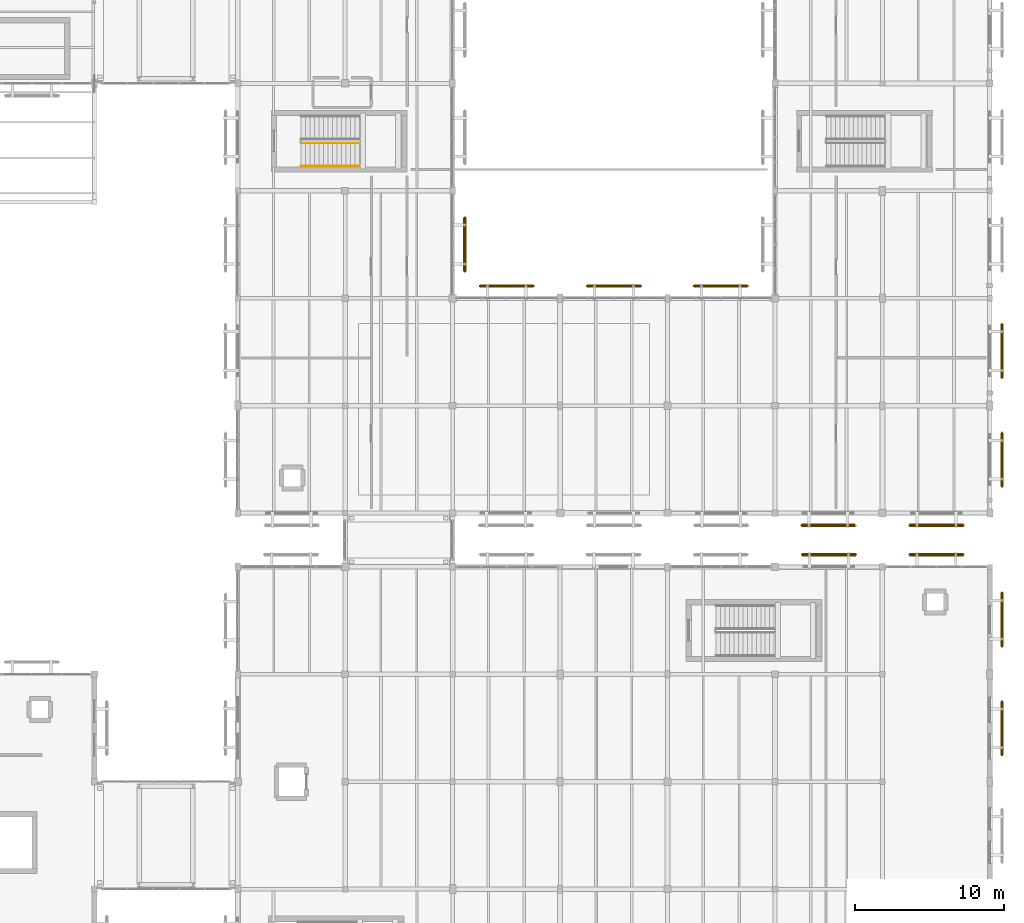
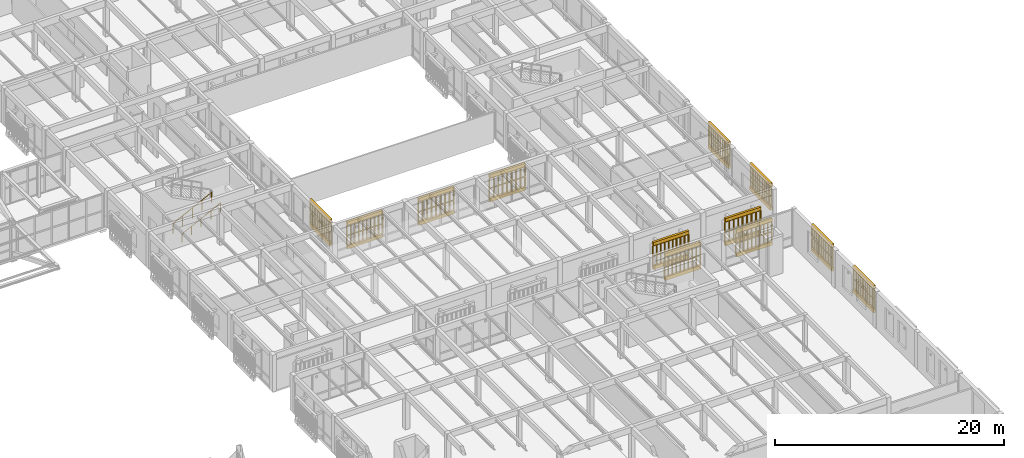
# One storey, part 213 of 217: 26 railings, 24 coverings.
"""IFC4 building model written with IfcOpenShell, lengths in metres."""

import ifcopenshell
import ifcopenshell.guid

model = None  # the IFC model being written
_history = None  # IfcOwnerHistory: only IFC2X3 demands one
_inside = {}  # id of a spatial element -> (the spatial element, [elements in it])
_under = {}  # id of a project, library or spatial element -> (it, [spatial elements below it])
_declared = {}  # id of a project -> (the project, [libraries it declares])
_typed = {}  # id of a type object -> (the type object, [elements of that type])
_made_of = {}  # id of a material, layer set ... -> (it, [elements and type objects made of it])


def new_model(schema):
    """Start an empty IFC model of exactly this schema.

    Asked for "IFC4X3", IfcOpenShell would pick the latest addendum, in which some entities
    have other attributes; the version numbers below select the first issue.
    IFC2X3 requires an IfcOwnerHistory on every rooted entity: one is made here for all.
    """
    global model, _history
    if schema == "IFC4X3":
        model = ifcopenshell.file(schema_version=(4, 3, 0, 0))
    else:
        model = ifcopenshell.file(schema=schema)
    _inside.clear()
    _under.clear()
    _declared.clear()
    _typed.clear()
    _made_of.clear()
    _history = None
    if model.schema == "IFC2X3":
        org = make("IfcOrganization", Name="unknown")
        user = make(
            "IfcPersonAndOrganization",
            ThePerson=make("IfcPerson", FamilyName="unknown"),
            TheOrganization=org,
        )
        app = make(
            "IfcApplication",
            ApplicationDeveloper=org,
            Version="unknown",
            ApplicationFullName="unknown",
            ApplicationIdentifier="unknown",
        )
        _history = make(
            "IfcOwnerHistory",
            OwningUser=user,
            OwningApplication=app,
            ChangeAction="ADDED",
            CreationDate=0,
        )
    return model


def make(cls, **values):
    """One entity of the class cls with the attributes given. An attribute that is None is left unset."""
    return model.create_entity(
        cls, **{name: value for name, value in values.items() if value is not None}
    )


def rooted(cls, **values):
    """An entity with a GlobalId (a new one), such as an element, a storey or a relation."""
    return make(cls, GlobalId=ifcopenshell.guid.new(), OwnerHistory=_history, **values)


def si_unit(unit_type, name, prefix=None):
    """IfcSIUnit, for example si_unit("LENGTHUNIT", "METRE", prefix="MILLI")."""
    return make("IfcSIUnit", UnitType=unit_type, Prefix=prefix, Name=name)


def assignment(units):
    """IfcUnitAssignment: the units of a project."""
    return None if units is None else make("IfcUnitAssignment", Units=units)


def point(xyz):
    """IfcCartesianPoint."""
    return None if xyz is None else make("IfcCartesianPoint", Coordinates=xyz)


def direction(xyz):
    """IfcDirection."""
    return None if xyz is None else make("IfcDirection", DirectionRatios=xyz)


def frame(location, z_axis=None, x_axis=None):
    """IfcAxis2Placement3D, a coordinate frame: its origin and axes. An axis left out is left unset."""
    return make(
        "IfcAxis2Placement3D",
        Location=point(location),
        Axis=direction(z_axis),
        RefDirection=direction(x_axis),
    )


def frame_2d(location, x_axis=None):
    """IfcAxis2Placement2D, a coordinate frame in the plane: its origin and x axis."""
    return make(
        "IfcAxis2Placement2D", Location=point(location), RefDirection=direction(x_axis)
    )


def origin():
    """The frame at (0, 0, 0) with its axes left unset."""
    return frame((0.0, 0.0, 0.0))


def origin_2d():
    """The frame at (0, 0) in the plane with its x axis left unset."""
    return frame_2d((0.0, 0.0))


def place(relative_to, where):
    """IfcLocalPlacement: puts the frame where relative to a parent placement (None: the world)."""
    return make(
        "IfcLocalPlacement", PlacementRelTo=relative_to, RelativePlacement=where
    )


def context(
    kind, dimensions, precision=None, world=None, true_north=None, identifier=None
):
    """IfcGeometricRepresentationContext, for example the 3D "Model" context."""
    return make(
        "IfcGeometricRepresentationContext",
        ContextIdentifier=identifier,
        ContextType=kind,
        CoordinateSpaceDimension=dimensions,
        Precision=precision,
        WorldCoordinateSystem=world,
        TrueNorth=true_north,
    )


def subcontext(parent, identifier, kind, view, scale=None):
    """IfcGeometricRepresentationSubContext, for example "Body" below "Model"."""
    return make(
        "IfcGeometricRepresentationSubContext",
        ContextIdentifier=identifier,
        ContextType=kind,
        ParentContext=parent,
        TargetScale=scale,
        TargetView=view,
    )


def project(units=None, contexts=None):
    """IfcProject with its units and contexts."""
    return rooted(
        "IfcProject",
        Name="project",
        RepresentationContexts=contexts,
        UnitsInContext=assignment(units),
    )


def spatial(cls, under=None, at=None, **own):
    """A site, building, storey or space (cls), placed at a placement, below another one or the project."""
    s = rooted(cls, ObjectPlacement=at, **own)
    if under is not None:
        _under.setdefault(under.id(), (under, []))[1].append(s)
    return s


def polyline(points):
    """IfcPolyline through the points."""
    return make("IfcPolyline", Points=[point(p) for p in points])


def profile(cls, at=None, kind="AREA", **sizes):
    """A parametric profile (cls). Its sizes go by their IFC names, for example OverallWidth=200.0."""
    return make(cls, ProfileType=kind, Position=at, **sizes)


def circle(**sizes):
    """IfcCircleProfileDef."""
    return profile("IfcCircleProfileDef", **sizes)


def outline(outer, holes=None, kind="AREA"):
    """IfcArbitraryClosedProfileDef: a profile drawn as a closed curve; with holes, ...WithVoids."""
    if holes is None:
        return make("IfcArbitraryClosedProfileDef", ProfileType=kind, OuterCurve=outer)
    return make(
        "IfcArbitraryProfileDefWithVoids",
        ProfileType=kind,
        OuterCurve=outer,
        InnerCurves=holes,
    )


def extrude(swept, where, along, depth):
    """IfcExtrudedAreaSolid: the profile swept, set in the frame where, extruded along a direction by depth."""
    return make(
        "IfcExtrudedAreaSolid",
        SweptArea=swept,
        Position=where,
        ExtrudedDirection=direction(along),
        Depth=depth,
    )


def shape(context_of_items, identifier, shape_type, items):
    """IfcShapeRepresentation: the items that make up one representation, for example the "Body"."""
    return make(
        "IfcShapeRepresentation",
        ContextOfItems=context_of_items,
        RepresentationIdentifier=identifier,
        RepresentationType=shape_type,
        Items=items,
    )


def material(Name=None, Category=None):
    """IfcMaterial."""
    return make("IfcMaterial", Name=Name, Category=Category)


def layer(
    of_material, thickness, ventilated=None, Name=None, Category=None, Priority=None
):
    """IfcMaterialLayer: one layer of a wall or slab, of a material (None: an air gap)."""
    return make(
        "IfcMaterialLayer",
        Material=of_material,
        LayerThickness=thickness,
        IsVentilated=ventilated,
        Name=Name,
        Category=Category,
        Priority=Priority,
    )


def layer_set(layers, Name=None):
    """IfcMaterialLayerSet."""
    return make("IfcMaterialLayerSet", MaterialLayers=layers, LayerSetName=Name)


def made_of(thing, what):
    """Note that an element or type object is made of a material, layer set ...; save() writes the relation."""
    if what is not None:
        _made_of.setdefault(what.id(), (what, []))[1].append(thing)
    return thing


def type_object(cls, material=None, **own):
    """A type object (cls), such as IfcWallType, which elements share."""
    return made_of(rooted(cls, **own), material)


def element(
    cls,
    number,
    at=None,
    inside=None,
    cuts=None,
    type_object=None,
    material=None,
    context=None,
    identifier="Body",
    shape_type=None,
    held_by="IfcProductDefinitionShape",
    body=None,
    shapes=None,
    **own,
):
    """One element of the class cls, such as IfcWall. Its Tag is "e" and its number.

    at: its placement. inside: the storey or other place that contains it. cuts: it is an
    opening in that element (IfcRelVoidsElement). A single representation is given by context,
    identifier, shape_type and body (its items); several are given by shapes. held_by: the class
    of the entity that holds the representations. save() writes the other relations.
    """
    e = rooted(cls, Tag="e%d" % number, ObjectPlacement=at, **own)
    if body is not None:
        shapes = [shape(context, identifier, shape_type, body)]
    if shapes is not None:
        e.Representation = make(held_by, Representations=shapes)
    if inside is not None:
        _inside.setdefault(inside.id(), (inside, []))[1].append(e)
    if cuts is not None:
        rooted(
            "IfcRelVoidsElement", RelatingBuildingElement=cuts, RelatedOpeningElement=e
        )
    if type_object is not None:
        _typed.setdefault(type_object.id(), (type_object, []))[1].append(e)
    return made_of(e, material)


def aggregate(whole, parts):
    """IfcRelAggregates: a whole, such as a stair, and the parts it consists of."""
    return rooted("IfcRelAggregates", RelatingObject=whole, RelatedObjects=parts)


def save(model, path):
    """Write the relations noted so far, then the file.

    IfcRelAggregates (storeys below a building ...), IfcRelContainedInSpatialStructure (elements
    in a storey), IfcRelDefinesByType, IfcRelAssociatesMaterial and IfcRelDeclares: one each for
    every whole, place, type object, material and project.
    """
    for whole, parts in _under.values():
        aggregate(whole, parts)
    for where, things in _inside.values():
        rooted(
            "IfcRelContainedInSpatialStructure",
            RelatedElements=things,
            RelatingStructure=where,
        )
    for kind, things in _typed.values():
        rooted("IfcRelDefinesByType", RelatedObjects=things, RelatingType=kind)
    for what, things in _made_of.values():
        rooted("IfcRelAssociatesMaterial", RelatedObjects=things, RelatingMaterial=what)
    for by, libraries in _declared.values():
        rooted("IfcRelDeclares", RelatingContext=by, RelatedDefinitions=libraries)
    model.write(path)


model = new_model("IFC4")

# Units and contexts
model_context = context("Model", 3, precision=1e-05, world=origin(), true_north=direction((0.0, 1.0)))
body_context = subcontext(model_context, "Body", "Model", "MODEL_VIEW")
ifc_project = project(units=[si_unit("LENGTHUNIT", "METRE"), si_unit("AREAUNIT", "SQUARE_METRE"), si_unit("VOLUMEUNIT", "CUBIC_METRE"), si_unit("PLANEANGLEUNIT", "RADIAN"), si_unit("MASSUNIT", "GRAM", prefix="KILO")], contexts=[model_context])

# Site, building, storey
site_placement = place(None, origin())
site = spatial("IfcSite", under=ifc_project, at=site_placement, CompositionType="ELEMENT")
building_placement = place(site_placement, origin())
building = spatial("IfcBuilding", under=site, at=building_placement, Name="Mazaris Harbour Polytechnic", CompositionType="ELEMENT")
storey_placement = place(building_placement, frame((0.0, 0.0, 9.60009765625)))
storey = spatial("IfcBuildingStorey", under=building, at=storey_placement, Name="L02", CompositionType="ELEMENT", Elevation=9.60009765625)

# Railings
ifc_material_1 = material(Name="Perforated Earth-Coloured Terracotta Block", Category="masonry")
railing_type_1 = type_object("IfcRailingType", Name="Perforated Earth-Block Claustra Lattice 1040", PredefinedType="BALUSTRADE", material=ifc_material_1)
for number, where, name in (
    (1, (160.219970703125, 44.02001953125, 0.52001953125), "V2 L02 Lower Perforated Terracotta Block Screen 78"),
    (2, (160.219970703125, 44.02001953125, 1.60986328125), "V2 L02 Upper Perforated Terracotta Block Screen 78"),
    (3, (167.419921875, 44.02001953125, 0.52001953125), "V2 L02 Lower Perforated Terracotta Block Screen 79"),
    (4, (167.419921875, 44.02001953125, 1.60986328125), "V2 L02 Upper Perforated Terracotta Block Screen 79"),
):
    element("IfcRailing", number, at=place(storey_placement, frame(where)), inside=storey, type_object=railing_type_1, Name=name, PredefinedType="BALUSTRADE", context=body_context, shape_type="SweptSolid", body=[
        extrude(circle(Radius=0.06982421875, at=origin_2d()), frame((0.0, 0.0, 1.02001953125), z_axis=(1.0, 0.0, 0.0), x_axis=(0.0, 1.0, 0.0)), (0.0, 0.0, 1.0), 3.60009765625),
        extrude(circle(Radius=0.074951171875, at=origin_2d()), origin(), (0.0, 0.0, 1.0), 0.9501953125),
        extrude(circle(Radius=0.074951171875, at=origin_2d()), frame((0.39990234375, 0.0, 0.0)), (0.0, 0.0, 1.0), 0.9501953125),
        extrude(circle(Radius=0.074951171875, at=origin_2d()), frame((0.800048828125, 0.0, 0.0)), (0.0, 0.0, 1.0), 0.9501953125),
        extrude(circle(Radius=0.074951171875, at=origin_2d()), frame((1.199951171875, 0.0, 0.0)), (0.0, 0.0, 1.0), 0.9501953125),
        extrude(circle(Radius=0.074951171875, at=origin_2d()), frame((1.60009765625, 0.0, 0.0)), (0.0, 0.0, 1.0), 0.9501953125),
        extrude(circle(Radius=0.074951171875, at=origin_2d()), frame((2.0, 0.0, 0.0)), (0.0, 0.0, 1.0), 0.9501953125),
        extrude(circle(Radius=0.074951171875, at=origin_2d()), frame((2.400146484375, 0.0, 0.0)), (0.0, 0.0, 1.0), 0.9501953125),
        extrude(circle(Radius=0.074951171875, at=origin_2d()), frame((2.800048828125, 0.0, 0.0)), (0.0, 0.0, 1.0), 0.9501953125),
        extrude(circle(Radius=0.074951171875, at=origin_2d()), frame((3.2001953125, 0.0, 0.0)), (0.0, 0.0, 1.0), 0.9501953125),
        extrude(circle(Radius=0.074951171875, at=origin_2d()), frame((3.60009765625, 0.0, 0.0)), (0.0, 0.0, 1.0), 0.9501953125),
    ])
for number, where, name in (
    (5, (173.6201171875, 34.18505859375, 0.52001953125), "V2 L02 Lower Perforated Terracotta Block Screen 87"),
    (6, (173.6201171875, 34.18505859375, 1.60986328125), "V2 L02 Upper Perforated Terracotta Block Screen 87"),
    (7, (173.6201171875, 41.465087890625, 0.52001953125), "V2 L02 Lower Perforated Terracotta Block Screen 88"),
    (8, (173.6201171875, 41.465087890625, 1.60986328125), "V2 L02 Upper Perforated Terracotta Block Screen 88"),
):
    element("IfcRailing", number, at=place(storey_placement, frame(where)), inside=storey, type_object=railing_type_1, Name=name, PredefinedType="BALUSTRADE", context=body_context, shape_type="SweptSolid", body=[
        extrude(circle(Radius=0.06982421875, at=origin_2d()), frame((0.0, 0.0, 1.02001953125), z_axis=(0.0, -1.0, 0.0), x_axis=(1.0, 0.0, 0.0)), (0.0, 0.0, 1.0), 3.60009765625),
        extrude(circle(Radius=0.074951171875, at=origin_2d()), origin(), (0.0, 0.0, 1.0), 0.9501953125),
        extrude(circle(Radius=0.074951171875, at=origin_2d()), frame((0.0, -0.39990234375, 0.0)), (0.0, 0.0, 1.0), 0.9501953125),
        extrude(circle(Radius=0.074951171875, at=origin_2d()), frame((0.0, -0.800048828125, 0.0)), (0.0, 0.0, 1.0), 0.9501953125),
        extrude(circle(Radius=0.074951171875, at=origin_2d()), frame((0.0, -1.199951171875, 0.0)), (0.0, 0.0, 1.0), 0.9501953125),
        extrude(circle(Radius=0.074951171875, at=origin_2d()), frame((0.0, -1.60009765625, 0.0)), (0.0, 0.0, 1.0), 0.9501953125),
        extrude(circle(Radius=0.074951171875, at=origin_2d()), frame((0.0, -2.0, 0.0)), (0.0, 0.0, 1.0), 0.9501953125),
        extrude(circle(Radius=0.074951171875, at=origin_2d()), frame((0.0, -2.400146484375, 0.0)), (0.0, 0.0, 1.0), 0.9501953125),
        extrude(circle(Radius=0.074951171875, at=origin_2d()), frame((0.0, -2.800048828125, 0.0)), (0.0, 0.0, 1.0), 0.9501953125),
        extrude(circle(Radius=0.074951171875, at=origin_2d()), frame((0.0, -3.2001953125, 0.0)), (0.0, 0.0, 1.0), 0.9501953125),
        extrude(circle(Radius=0.074951171875, at=origin_2d()), frame((0.0, -3.60009765625, 0.0)), (0.0, 0.0, 1.0), 0.9501953125),
    ])
for number, where, name in (
    (9, (163.780029296875, 45.97998046875, 0.52001953125), "V5 L02 Lower Perforated Terracotta Block Screen 410"),
    (10, (163.780029296875, 45.97998046875, 1.60986328125), "V5 L02 Upper Perforated Terracotta Block Screen 410"),
):
    element("IfcRailing", number, at=place(storey_placement, frame(where)), inside=storey, type_object=railing_type_1, Name=name, PredefinedType="BALUSTRADE", context=body_context, shape_type="SweptSolid", body=[
        extrude(circle(Radius=0.06982421875, at=origin_2d()), frame((0.0, 0.0, 1.02001953125), z_axis=(-1.0, 0.0, 0.0), x_axis=(0.0, -1.0, 0.0)), (0.0, 0.0, 1.0), 3.60009765625),
        extrude(circle(Radius=0.074951171875, at=origin_2d()), origin(), (0.0, 0.0, 1.0), 0.9501953125),
        extrude(circle(Radius=0.074951171875, at=origin_2d()), frame((-0.39990234375, 0.0, 0.0)), (0.0, 0.0, 1.0), 0.9501953125),
        extrude(circle(Radius=0.074951171875, at=origin_2d()), frame((-0.800048828125, 0.0, 0.0)), (0.0, 0.0, 1.0), 0.9501953125),
        extrude(circle(Radius=0.074951171875, at=origin_2d()), frame((-1.199951171875, 0.0, 0.0)), (0.0, 0.0, 1.0), 0.9501953125),
        extrude(circle(Radius=0.074951171875, at=origin_2d()), frame((-1.60009765625, 0.0, 0.0)), (0.0, 0.0, 1.0), 0.9501953125),
        extrude(circle(Radius=0.074951171875, at=origin_2d()), frame((-2.0, 0.0, 0.0)), (0.0, 0.0, 1.0), 0.9501953125),
        extrude(circle(Radius=0.074951171875, at=origin_2d()), frame((-2.400146484375, 0.0, 0.0)), (0.0, 0.0, 1.0), 0.9501953125),
        extrude(circle(Radius=0.074951171875, at=origin_2d()), frame((-2.800048828125, 0.0, 0.0)), (0.0, 0.0, 1.0), 0.9501953125),
        extrude(circle(Radius=0.074951171875, at=origin_2d()), frame((-3.2001953125, 0.0, 0.0)), (0.0, 0.0, 1.0), 0.9501953125),
        extrude(circle(Radius=0.074951171875, at=origin_2d()), frame((-3.60009765625, 0.0, 0.0)), (0.0, 0.0, 1.0), 0.9501953125),
    ])
for number, where, name in (
    (11, (171.02490234375, 45.97998046875, 0.52001953125), "V5 L02 Lower Perforated Terracotta Block Screen 411"),
    (12, (171.02490234375, 45.97998046875, 1.60986328125), "V5 L02 Upper Perforated Terracotta Block Screen 411"),
):
    element("IfcRailing", number, at=place(storey_placement, frame(where)), inside=storey, type_object=railing_type_1, Name=name, PredefinedType="BALUSTRADE", context=body_context, shape_type="SweptSolid", body=[
        extrude(circle(Radius=0.06982421875, at=origin_2d()), frame((0.0, 0.0, 1.02001953125), z_axis=(-1.0, 0.0, 0.0), x_axis=(0.0, -1.0, 0.0)), (0.0, 0.0, 1.0), 3.599853515625),
        extrude(circle(Radius=0.074951171875, at=origin_2d()), origin(), (0.0, 0.0, 1.0), 0.9501953125),
        extrude(circle(Radius=0.074951171875, at=origin_2d()), frame((-0.449951171875, 0.0, 0.0)), (0.0, 0.0, 1.0), 0.9501953125),
        extrude(circle(Radius=0.074951171875, at=origin_2d()), frame((-0.89990234375, 0.0, 0.0)), (0.0, 0.0, 1.0), 0.9501953125),
        extrude(circle(Radius=0.074951171875, at=origin_2d()), frame((-1.349853515625, 0.0, 0.0)), (0.0, 0.0, 1.0), 0.9501953125),
        extrude(circle(Radius=0.074951171875, at=origin_2d()), frame((-1.7998046875, 0.0, 0.0)), (0.0, 0.0, 1.0), 0.9501953125),
        extrude(circle(Radius=0.074951171875, at=origin_2d()), frame((-2.25, 0.0, 0.0)), (0.0, 0.0, 1.0), 0.9501953125),
        extrude(circle(Radius=0.074951171875, at=origin_2d()), frame((-2.699951171875, 0.0, 0.0)), (0.0, 0.0, 1.0), 0.9501953125),
        extrude(circle(Radius=0.074951171875, at=origin_2d()), frame((-3.14990234375, 0.0, 0.0)), (0.0, 0.0, 1.0), 0.9501953125),
        extrude(circle(Radius=0.074951171875, at=origin_2d()), frame((-3.599853515625, 0.0, 0.0)), (0.0, 0.0, 1.0), 0.9501953125),
    ])
for number, where, name in (
    (13, (173.6201171875, 52.18505859375, 0.52001953125), "V5 L02 Lower Perforated Terracotta Block Screen 426"),
    (14, (173.6201171875, 52.18505859375, 1.60986328125), "V5 L02 Upper Perforated Terracotta Block Screen 426"),
    (15, (173.6201171875, 59.465087890625, 0.52001953125), "V5 L02 Lower Perforated Terracotta Block Screen 427"),
    (16, (173.6201171875, 59.465087890625, 1.60986328125), "V5 L02 Upper Perforated Terracotta Block Screen 427"),
):
    element("IfcRailing", number, at=place(storey_placement, frame(where)), inside=storey, type_object=railing_type_1, Name=name, PredefinedType="BALUSTRADE", context=body_context, shape_type="SweptSolid", body=[
        extrude(circle(Radius=0.06982421875, at=origin_2d()), frame((0.0, 0.0, 1.02001953125), z_axis=(0.0, -1.0, 0.0), x_axis=(1.0, 0.0, 0.0)), (0.0, 0.0, 1.0), 3.60009765625),
        extrude(circle(Radius=0.074951171875, at=origin_2d()), origin(), (0.0, 0.0, 1.0), 0.9501953125),
        extrude(circle(Radius=0.074951171875, at=origin_2d()), frame((0.0, -0.39990234375, 0.0)), (0.0, 0.0, 1.0), 0.9501953125),
        extrude(circle(Radius=0.074951171875, at=origin_2d()), frame((0.0, -0.800048828125, 0.0)), (0.0, 0.0, 1.0), 0.9501953125),
        extrude(circle(Radius=0.074951171875, at=origin_2d()), frame((0.0, -1.199951171875, 0.0)), (0.0, 0.0, 1.0), 0.9501953125),
        extrude(circle(Radius=0.074951171875, at=origin_2d()), frame((0.0, -1.60009765625, 0.0)), (0.0, 0.0, 1.0), 0.9501953125),
        extrude(circle(Radius=0.074951171875, at=origin_2d()), frame((0.0, -2.0, 0.0)), (0.0, 0.0, 1.0), 0.9501953125),
        extrude(circle(Radius=0.074951171875, at=origin_2d()), frame((0.0, -2.400146484375, 0.0)), (0.0, 0.0, 1.0), 0.9501953125),
        extrude(circle(Radius=0.074951171875, at=origin_2d()), frame((0.0, -2.800048828125, 0.0)), (0.0, 0.0, 1.0), 0.9501953125),
        extrude(circle(Radius=0.074951171875, at=origin_2d()), frame((0.0, -3.2001953125, 0.0)), (0.0, 0.0, 1.0), 0.9501953125),
        extrude(circle(Radius=0.074951171875, at=origin_2d()), frame((0.0, -3.60009765625, 0.0)), (0.0, 0.0, 1.0), 0.9501953125),
    ])
for number, where, name in (
    (17, (138.625, 62.02001953125, 0.52001953125), "V5 L02 Lower Perforated Terracotta Block Screen 434"),
    (18, (138.625, 62.02001953125, 1.60986328125), "V5 L02 Upper Perforated Terracotta Block Screen 434"),
):
    element("IfcRailing", number, at=place(storey_placement, frame(where)), inside=storey, type_object=railing_type_1, Name=name, PredefinedType="BALUSTRADE", context=body_context, shape_type="SweptSolid", body=[
        extrude(circle(Radius=0.06982421875, at=origin_2d()), frame((0.0, 0.0, 1.02001953125), z_axis=(1.0, 0.0, 0.0), x_axis=(0.0, 1.0, 0.0)), (0.0, 0.0, 1.0), 3.60009765625),
        extrude(circle(Radius=0.074951171875, at=origin_2d()), origin(), (0.0, 0.0, 1.0), 0.9501953125),
        extrude(circle(Radius=0.074951171875, at=origin_2d()), frame((0.39990234375, 0.0, 0.0)), (0.0, 0.0, 1.0), 0.9501953125),
        extrude(circle(Radius=0.074951171875, at=origin_2d()), frame((0.800048828125, 0.0, 0.0)), (0.0, 0.0, 1.0), 0.9501953125),
        extrude(circle(Radius=0.074951171875, at=origin_2d()), frame((1.199951171875, 0.0, 0.0)), (0.0, 0.0, 1.0), 0.9501953125),
        extrude(circle(Radius=0.074951171875, at=origin_2d()), frame((1.60009765625, 0.0, 0.0)), (0.0, 0.0, 1.0), 0.9501953125),
        extrude(circle(Radius=0.074951171875, at=origin_2d()), frame((2.0, 0.0, 0.0)), (0.0, 0.0, 1.0), 0.9501953125),
        extrude(circle(Radius=0.074951171875, at=origin_2d()), frame((2.400146484375, 0.0, 0.0)), (0.0, 0.0, 1.0), 0.9501953125),
        extrude(circle(Radius=0.074951171875, at=origin_2d()), frame((2.800048828125, 0.0, 0.0)), (0.0, 0.0, 1.0), 0.9501953125),
        extrude(circle(Radius=0.074951171875, at=origin_2d()), frame((3.2001953125, 0.0, 0.0)), (0.0, 0.0, 1.0), 0.9501953125),
        extrude(circle(Radius=0.074951171875, at=origin_2d()), frame((3.60009765625, 0.0, 0.0)), (0.0, 0.0, 1.0), 0.9501953125),
    ])
for number, where, name in (
    (19, (145.81005859375, 62.02001953125, 0.52001953125), "V5 L02 Lower Perforated Terracotta Block Screen 435"),
    (20, (145.81005859375, 62.02001953125, 1.60986328125), "V5 L02 Upper Perforated Terracotta Block Screen 435"),
    (21, (152.965087890625, 62.02001953125, 0.52001953125), "V5 L02 Lower Perforated Terracotta Block Screen 436"),
    (22, (152.965087890625, 62.02001953125, 1.60986328125), "V5 L02 Upper Perforated Terracotta Block Screen 436"),
):
    element("IfcRailing", number, at=place(storey_placement, frame(where)), inside=storey, type_object=railing_type_1, Name=name, PredefinedType="BALUSTRADE", context=body_context, shape_type="SweptSolid", body=[
        extrude(circle(Radius=0.06982421875, at=origin_2d()), frame((0.0, 0.0, 1.02001953125), z_axis=(1.0, 0.0, 0.0), x_axis=(0.0, 1.0, 0.0)), (0.0, 0.0, 1.0), 3.599853515625),
        extrude(circle(Radius=0.074951171875, at=origin_2d()), origin(), (0.0, 0.0, 1.0), 0.9501953125),
        extrude(circle(Radius=0.074951171875, at=origin_2d()), frame((0.449951171875, 0.0, 0.0)), (0.0, 0.0, 1.0), 0.9501953125),
        extrude(circle(Radius=0.074951171875, at=origin_2d()), frame((0.89990234375, 0.0, 0.0)), (0.0, 0.0, 1.0), 0.9501953125),
        extrude(circle(Radius=0.074951171875, at=origin_2d()), frame((1.349853515625, 0.0, 0.0)), (0.0, 0.0, 1.0), 0.9501953125),
        extrude(circle(Radius=0.074951171875, at=origin_2d()), frame((1.7998046875, 0.0, 0.0)), (0.0, 0.0, 1.0), 0.9501953125),
        extrude(circle(Radius=0.074951171875, at=origin_2d()), frame((2.25, 0.0, 0.0)), (0.0, 0.0, 1.0), 0.9501953125),
        extrude(circle(Radius=0.074951171875, at=origin_2d()), frame((2.699951171875, 0.0, 0.0)), (0.0, 0.0, 1.0), 0.9501953125),
        extrude(circle(Radius=0.074951171875, at=origin_2d()), frame((3.14990234375, 0.0, 0.0)), (0.0, 0.0, 1.0), 0.9501953125),
        extrude(circle(Radius=0.074951171875, at=origin_2d()), frame((3.599853515625, 0.0, 0.0)), (0.0, 0.0, 1.0), 0.9501953125),
    ])
for number, where, name in (
    (23, (137.6201171875, 63.0048828125, 0.52001953125), "V5 L02 Lower Perforated Terracotta Block Screen 440"),
    (24, (137.6201171875, 63.0048828125, 1.60986328125), "V5 L02 Upper Perforated Terracotta Block Screen 440"),
):
    element("IfcRailing", number, at=place(storey_placement, frame(where)), inside=storey, type_object=railing_type_1, Name=name, PredefinedType="BALUSTRADE", context=body_context, shape_type="SweptSolid", body=[
        extrude(circle(Radius=0.06982421875, at=origin_2d()), frame((0.0, 0.0, 1.02001953125), z_axis=(0.0, 1.0, 0.0), x_axis=(-1.0, 0.0, 0.0)), (0.0, 0.0, 1.0), 3.60009765625),
        extrude(circle(Radius=0.074951171875, at=origin_2d()), origin(), (0.0, 0.0, 1.0), 0.9501953125),
        extrude(circle(Radius=0.074951171875, at=origin_2d()), frame((0.0, 0.39990234375, 0.0)), (0.0, 0.0, 1.0), 0.9501953125),
        extrude(circle(Radius=0.074951171875, at=origin_2d()), frame((0.0, 0.800048828125, 0.0)), (0.0, 0.0, 1.0), 0.9501953125),
        extrude(circle(Radius=0.074951171875, at=origin_2d()), frame((0.0, 1.199951171875, 0.0)), (0.0, 0.0, 1.0), 0.9501953125),
        extrude(circle(Radius=0.074951171875, at=origin_2d()), frame((0.0, 1.60009765625, 0.0)), (0.0, 0.0, 1.0), 0.9501953125),
        extrude(circle(Radius=0.074951171875, at=origin_2d()), frame((0.0, 2.0, 0.0)), (0.0, 0.0, 1.0), 0.9501953125),
        extrude(circle(Radius=0.074951171875, at=origin_2d()), frame((0.0, 2.400146484375, 0.0)), (0.0, 0.0, 1.0), 0.9501953125),
        extrude(circle(Radius=0.074951171875, at=origin_2d()), frame((0.0, 2.800048828125, 0.0)), (0.0, 0.0, 1.0), 0.9501953125),
        extrude(circle(Radius=0.074951171875, at=origin_2d()), frame((0.0, 3.2001953125, 0.0)), (0.0, 0.0, 1.0), 0.9501953125),
        extrude(circle(Radius=0.074951171875, at=origin_2d()), frame((0.0, 3.60009765625, 0.0)), (0.0, 0.0, 1.0), 0.9501953125),
    ])
ifc_material_2 = material(Name="Stainless Steel S355", Category="steel")
railing_type_2 = type_object("IfcRailingType", Name="Stair Wall Handrail 900", PredefinedType="HANDRAIL", material=ifc_material_2)
railing_1_placement = place(storey_placement, frame((126.64990234375, 70.050048828125, 0.14990234375)))
element("IfcRailing", 25, at=railing_1_placement, inside=storey, type_object=railing_type_2, Name="L02 ST09 stair handrail 1", PredefinedType="HANDRAIL", context=body_context, shape_type="SweptSolid", body=[
    extrude(circle(Radius=0.02392578125, at=origin_2d()), frame((0.0, 0.0, 0.8759765625), z_axis=(0.894438388696, 0.0, 0.447191199406), x_axis=(0.0, 1.0, 0.0)), (0.0, 0.0, 1.0), 4.3603515625),
    extrude(circle(Radius=0.02099609375, at=origin_2d()), origin(), (0.0, 0.0, 1.0), 0.851806640625),
    extrude(circle(Radius=0.02099609375, at=origin_2d()), frame((0.97509765625, 0.0, 0.487548828125)), (0.0, 0.0, 1.0), 0.851806640625),
    extrude(circle(Radius=0.02099609375, at=origin_2d()), frame((1.9501953125, 0.0, 0.97509765625)), (0.0, 0.0, 1.0), 0.851806640625),
    extrude(circle(Radius=0.02099609375, at=origin_2d()), frame((2.925048828125, 0.0, 1.46240234375)), (0.0, 0.0, 1.0), 0.851806640625),
    extrude(circle(Radius=0.02099609375, at=origin_2d()), frame((3.900146484375, 0.0, 1.949951171875)), (0.0, 0.0, 1.0), 0.851806640625),
])
ifc_material_3 = material(Name="Steel S355", Category="steel")
railing_type_3 = type_object("IfcRailingType", Name="Stair Well Guardrail 1100", PredefinedType="GUARDRAIL", material=ifc_material_3)
railing_2_placement = place(storey_placement, frame((126.64990234375, 71.60009765625, 0.14990234375)))
element("IfcRailing", 26, at=railing_2_placement, inside=storey, type_object=railing_type_3, Name="L02 ST09 stair guard 1", PredefinedType="GUARDRAIL", context=body_context, shape_type="SweptSolid", body=[
    extrude(circle(Radius=0.02392578125, at=origin_2d()), frame((0.0, 0.0, 1.076171875), z_axis=(0.894438388696, 0.0, 0.447191199406), x_axis=(0.0, 1.0, 0.0)), (0.0, 0.0, 1.0), 4.3603515625),
    extrude(circle(Radius=0.02099609375, at=origin_2d()), origin(), (0.0, 0.0, 1.0), 1.052001953125),
    extrude(circle(Radius=0.02099609375, at=origin_2d()), frame((0.97509765625, 0.0, 0.487548828125)), (0.0, 0.0, 1.0), 1.052001953125),
    extrude(circle(Radius=0.02099609375, at=origin_2d()), frame((1.9501953125, 0.0, 0.97509765625)), (0.0, 0.0, 1.0), 1.052001953125),
    extrude(circle(Radius=0.02099609375, at=origin_2d()), frame((2.925048828125, 0.0, 1.46240234375)), (0.0, 0.0, 1.0), 1.052001953125),
    extrude(circle(Radius=0.02099609375, at=origin_2d()), frame((3.900146484375, 0.0, 1.949951171875)), (0.0, 0.0, 1.0), 1.052001953125),
])

# Coverings
ifc_material_4 = material(Name="Perforated Earth-Coloured Terracotta Block", Category="masonry")
ifc_layer = layer(ifc_material_4, 0.219970703125, Name="Perforated Earth-Coloured Terracotta Block")
ifc_layer_set = layer_set([ifc_layer], Name="Perforated Earth-Coloured Terracotta Block")
covering_type = type_object("IfcCoveringType", Name="Terracotta Screen Course Cladding 220", PredefinedType="CLADDING", material=ifc_layer_set)
covering_1_placement = place(storey_placement, frame((0.0, 0.0, 0.159912109375)))
element("IfcCovering", 27, at=covering_1_placement, inside=storey, type_object=covering_type, Name="V2 L02 Perforated Screen Sill Course 78", PredefinedType="CLADDING", context=body_context, shape_type="SweptSolid", body=[
    extrude(outline(polyline([(160.219970703125, 43.909912109375), (163.820068359375, 43.909912109375), (163.820068359375, 44.1298828125), (160.219970703125, 44.1298828125), (160.219970703125, 43.909912109375)])), origin(), (0.0, 0.0, 1.0), 0.360107421875),
])
covering_2_placement = place(storey_placement, frame((0.0, 0.0, 2.699951171875)))
element("IfcCovering", 28, at=covering_2_placement, inside=storey, type_object=covering_type, Name="V2 L02 Perforated Screen Lintel Course 78", PredefinedType="CLADDING", context=body_context, shape_type="SweptSolid", body=[
    extrude(outline(polyline([(160.219970703125, 43.909912109375), (163.820068359375, 43.909912109375), (163.820068359375, 44.1298828125), (160.219970703125, 44.1298828125), (160.219970703125, 43.909912109375)])), origin(), (0.0, 0.0, 1.0), 0.33984375),
])
covering_3_placement = place(storey_placement, frame((0.0, 0.0, 0.159912109375)))
element("IfcCovering", 29, at=covering_3_placement, inside=storey, type_object=covering_type, Name="V2 L02 Perforated Screen Sill Course 79", PredefinedType="CLADDING", context=body_context, shape_type="SweptSolid", body=[
    extrude(outline(polyline([(167.419921875, 43.909912109375), (171.02001953125, 43.909912109375), (171.02001953125, 44.1298828125), (167.419921875, 44.1298828125), (167.419921875, 43.909912109375)])), origin(), (0.0, 0.0, 1.0), 0.360107421875),
])
covering_4_placement = place(storey_placement, frame((0.0, 0.0, 2.699951171875)))
element("IfcCovering", 30, at=covering_4_placement, inside=storey, type_object=covering_type, Name="V2 L02 Perforated Screen Lintel Course 79", PredefinedType="CLADDING", context=body_context, shape_type="SweptSolid", body=[
    extrude(outline(polyline([(167.419921875, 43.909912109375), (171.02001953125, 43.909912109375), (171.02001953125, 44.1298828125), (167.419921875, 44.1298828125), (167.419921875, 43.909912109375)])), origin(), (0.0, 0.0, 1.0), 0.33984375),
])
covering_5_placement = place(storey_placement, frame((0.0, 0.0, 0.159912109375)))
element("IfcCovering", 31, at=covering_5_placement, inside=storey, type_object=covering_type, Name="V2 L02 Perforated Screen Sill Course 87", PredefinedType="CLADDING", context=body_context, shape_type="SweptSolid", body=[
    extrude(outline(polyline([(173.510009765625, 34.18505859375), (173.510009765625, 30.5849609375), (173.72998046875, 30.5849609375), (173.72998046875, 34.18505859375), (173.510009765625, 34.18505859375)])), origin(), (0.0, 0.0, 1.0), 0.360107421875),
])
covering_6_placement = place(storey_placement, frame((0.0, 0.0, 2.699951171875)))
element("IfcCovering", 32, at=covering_6_placement, inside=storey, type_object=covering_type, Name="V2 L02 Perforated Screen Lintel Course 87", PredefinedType="CLADDING", context=body_context, shape_type="SweptSolid", body=[
    extrude(outline(polyline([(173.510009765625, 34.18505859375), (173.510009765625, 30.5849609375), (173.72998046875, 30.5849609375), (173.72998046875, 34.18505859375), (173.510009765625, 34.18505859375)])), origin(), (0.0, 0.0, 1.0), 0.33984375),
])
covering_7_placement = place(storey_placement, frame((0.0, 0.0, 0.159912109375)))
element("IfcCovering", 33, at=covering_7_placement, inside=storey, type_object=covering_type, Name="V2 L02 Perforated Screen Sill Course 88", PredefinedType="CLADDING", context=body_context, shape_type="SweptSolid", body=[
    extrude(outline(polyline([(173.510009765625, 41.465087890625), (173.510009765625, 37.864990234375), (173.72998046875, 37.864990234375), (173.72998046875, 41.465087890625), (173.510009765625, 41.465087890625)])), origin(), (0.0, 0.0, 1.0), 0.360107421875),
])
covering_8_placement = place(storey_placement, frame((0.0, 0.0, 2.699951171875)))
element("IfcCovering", 34, at=covering_8_placement, inside=storey, type_object=covering_type, Name="V2 L02 Perforated Screen Lintel Course 88", PredefinedType="CLADDING", context=body_context, shape_type="SweptSolid", body=[
    extrude(outline(polyline([(173.510009765625, 41.465087890625), (173.510009765625, 37.864990234375), (173.72998046875, 37.864990234375), (173.72998046875, 41.465087890625), (173.510009765625, 41.465087890625)])), origin(), (0.0, 0.0, 1.0), 0.33984375),
])
covering_9_placement = place(storey_placement, frame((0.0, 0.0, 0.159912109375)))
element("IfcCovering", 35, at=covering_9_placement, inside=storey, type_object=covering_type, Name="V5 L02 Perforated Screen Sill Course 410", PredefinedType="CLADDING", context=body_context, shape_type="SweptSolid", body=[
    extrude(outline(polyline([(163.780029296875, 46.090087890625), (160.179931640625, 46.090087890625), (160.179931640625, 45.8701171875), (163.780029296875, 45.8701171875), (163.780029296875, 46.090087890625)])), origin(), (0.0, 0.0, 1.0), 0.360107421875),
])
covering_10_placement = place(storey_placement, frame((0.0, 0.0, 2.699951171875)))
element("IfcCovering", 36, at=covering_10_placement, inside=storey, type_object=covering_type, Name="V5 L02 Perforated Screen Lintel Course 410", PredefinedType="CLADDING", context=body_context, shape_type="SweptSolid", body=[
    extrude(outline(polyline([(163.780029296875, 46.090087890625), (160.179931640625, 46.090087890625), (160.179931640625, 45.8701171875), (163.780029296875, 45.8701171875), (163.780029296875, 46.090087890625)])), origin(), (0.0, 0.0, 1.0), 0.33984375),
])
covering_11_placement = place(storey_placement, frame((0.0, 0.0, 0.159912109375)))
element("IfcCovering", 37, at=covering_11_placement, inside=storey, type_object=covering_type, Name="V5 L02 Perforated Screen Sill Course 411", PredefinedType="CLADDING", context=body_context, shape_type="SweptSolid", body=[
    extrude(outline(polyline([(171.02490234375, 46.090087890625), (167.425048828125, 46.090087890625), (167.425048828125, 45.8701171875), (171.02490234375, 45.8701171875), (171.02490234375, 46.090087890625)])), origin(), (0.0, 0.0, 1.0), 0.360107421875),
])
covering_12_placement = place(storey_placement, frame((0.0, 0.0, 2.699951171875)))
element("IfcCovering", 38, at=covering_12_placement, inside=storey, type_object=covering_type, Name="V5 L02 Perforated Screen Lintel Course 411", PredefinedType="CLADDING", context=body_context, shape_type="SweptSolid", body=[
    extrude(outline(polyline([(171.02490234375, 46.090087890625), (167.425048828125, 46.090087890625), (167.425048828125, 45.8701171875), (171.02490234375, 45.8701171875), (171.02490234375, 46.090087890625)])), origin(), (0.0, 0.0, 1.0), 0.33984375),
])
covering_13_placement = place(storey_placement, frame((0.0, 0.0, 0.159912109375)))
element("IfcCovering", 39, at=covering_13_placement, inside=storey, type_object=covering_type, Name="V5 L02 Perforated Screen Sill Course 426", PredefinedType="CLADDING", context=body_context, shape_type="SweptSolid", body=[
    extrude(outline(polyline([(173.510009765625, 52.18505859375), (173.510009765625, 48.5849609375), (173.72998046875, 48.5849609375), (173.72998046875, 52.18505859375), (173.510009765625, 52.18505859375)])), origin(), (0.0, 0.0, 1.0), 0.360107421875),
])
covering_14_placement = place(storey_placement, frame((0.0, 0.0, 2.699951171875)))
element("IfcCovering", 40, at=covering_14_placement, inside=storey, type_object=covering_type, Name="V5 L02 Perforated Screen Lintel Course 426", PredefinedType="CLADDING", context=body_context, shape_type="SweptSolid", body=[
    extrude(outline(polyline([(173.510009765625, 52.18505859375), (173.510009765625, 48.5849609375), (173.72998046875, 48.5849609375), (173.72998046875, 52.18505859375), (173.510009765625, 52.18505859375)])), origin(), (0.0, 0.0, 1.0), 0.33984375),
])
covering_15_placement = place(storey_placement, frame((0.0, 0.0, 0.159912109375)))
element("IfcCovering", 41, at=covering_15_placement, inside=storey, type_object=covering_type, Name="V5 L02 Perforated Screen Sill Course 427", PredefinedType="CLADDING", context=body_context, shape_type="SweptSolid", body=[
    extrude(outline(polyline([(173.510009765625, 59.465087890625), (173.510009765625, 55.864990234375), (173.72998046875, 55.864990234375), (173.72998046875, 59.465087890625), (173.510009765625, 59.465087890625)])), origin(), (0.0, 0.0, 1.0), 0.360107421875),
])
covering_16_placement = place(storey_placement, frame((0.0, 0.0, 2.699951171875)))
element("IfcCovering", 42, at=covering_16_placement, inside=storey, type_object=covering_type, Name="V5 L02 Perforated Screen Lintel Course 427", PredefinedType="CLADDING", context=body_context, shape_type="SweptSolid", body=[
    extrude(outline(polyline([(173.510009765625, 59.465087890625), (173.510009765625, 55.864990234375), (173.72998046875, 55.864990234375), (173.72998046875, 59.465087890625), (173.510009765625, 59.465087890625)])), origin(), (0.0, 0.0, 1.0), 0.33984375),
])
covering_17_placement = place(storey_placement, frame((0.0, 0.0, 0.159912109375)))
element("IfcCovering", 43, at=covering_17_placement, inside=storey, type_object=covering_type, Name="V5 L02 Perforated Screen Sill Course 434", PredefinedType="CLADDING", context=body_context, shape_type="SweptSolid", body=[
    extrude(outline(polyline([(138.625, 61.909912109375), (142.22509765625, 61.909912109375), (142.22509765625, 62.1298828125), (138.625, 62.1298828125), (138.625, 61.909912109375)])), origin(), (0.0, 0.0, 1.0), 0.360107421875),
])
covering_18_placement = place(storey_placement, frame((0.0, 0.0, 2.699951171875)))
element("IfcCovering", 44, at=covering_18_placement, inside=storey, type_object=covering_type, Name="V5 L02 Perforated Screen Lintel Course 434", PredefinedType="CLADDING", context=body_context, shape_type="SweptSolid", body=[
    extrude(outline(polyline([(138.625, 61.909912109375), (142.22509765625, 61.909912109375), (142.22509765625, 62.1298828125), (138.625, 62.1298828125), (138.625, 61.909912109375)])), origin(), (0.0, 0.0, 1.0), 0.33984375),
])
covering_19_placement = place(storey_placement, frame((0.0, 0.0, 0.159912109375)))
element("IfcCovering", 45, at=covering_19_placement, inside=storey, type_object=covering_type, Name="V5 L02 Perforated Screen Sill Course 435", PredefinedType="CLADDING", context=body_context, shape_type="SweptSolid", body=[
    extrude(outline(polyline([(145.81005859375, 61.909912109375), (149.409912109375, 61.909912109375), (149.409912109375, 62.1298828125), (145.81005859375, 62.1298828125), (145.81005859375, 61.909912109375)])), origin(), (0.0, 0.0, 1.0), 0.360107421875),
])
covering_20_placement = place(storey_placement, frame((0.0, 0.0, 2.699951171875)))
element("IfcCovering", 46, at=covering_20_placement, inside=storey, type_object=covering_type, Name="V5 L02 Perforated Screen Lintel Course 435", PredefinedType="CLADDING", context=body_context, shape_type="SweptSolid", body=[
    extrude(outline(polyline([(145.81005859375, 61.909912109375), (149.409912109375, 61.909912109375), (149.409912109375, 62.1298828125), (145.81005859375, 62.1298828125), (145.81005859375, 61.909912109375)])), origin(), (0.0, 0.0, 1.0), 0.33984375),
])
covering_21_placement = place(storey_placement, frame((0.0, 0.0, 0.159912109375)))
element("IfcCovering", 47, at=covering_21_placement, inside=storey, type_object=covering_type, Name="V5 L02 Perforated Screen Sill Course 436", PredefinedType="CLADDING", context=body_context, shape_type="SweptSolid", body=[
    extrude(outline(polyline([(152.965087890625, 61.909912109375), (156.56494140625, 61.909912109375), (156.56494140625, 62.1298828125), (152.965087890625, 62.1298828125), (152.965087890625, 61.909912109375)])), origin(), (0.0, 0.0, 1.0), 0.360107421875),
])
covering_22_placement = place(storey_placement, frame((0.0, 0.0, 2.699951171875)))
element("IfcCovering", 48, at=covering_22_placement, inside=storey, type_object=covering_type, Name="V5 L02 Perforated Screen Lintel Course 436", PredefinedType="CLADDING", context=body_context, shape_type="SweptSolid", body=[
    extrude(outline(polyline([(152.965087890625, 61.909912109375), (156.56494140625, 61.909912109375), (156.56494140625, 62.1298828125), (152.965087890625, 62.1298828125), (152.965087890625, 61.909912109375)])), origin(), (0.0, 0.0, 1.0), 0.33984375),
])
covering_23_placement = place(storey_placement, frame((0.0, 0.0, 0.159912109375)))
element("IfcCovering", 49, at=covering_23_placement, inside=storey, type_object=covering_type, Name="V5 L02 Perforated Screen Sill Course 440", PredefinedType="CLADDING", context=body_context, shape_type="SweptSolid", body=[
    extrude(outline(polyline([(137.510009765625, 63.0048828125), (137.510009765625, 66.60498046875), (137.72998046875, 66.60498046875), (137.72998046875, 63.0048828125), (137.510009765625, 63.0048828125)])), origin(), (0.0, 0.0, 1.0), 0.360107421875),
])
covering_24_placement = place(storey_placement, frame((0.0, 0.0, 2.699951171875)))
element("IfcCovering", 50, at=covering_24_placement, inside=storey, type_object=covering_type, Name="V5 L02 Perforated Screen Lintel Course 440", PredefinedType="CLADDING", context=body_context, shape_type="SweptSolid", body=[
    extrude(outline(polyline([(137.510009765625, 63.0048828125), (137.510009765625, 66.60498046875), (137.72998046875, 66.60498046875), (137.72998046875, 63.0048828125), (137.510009765625, 63.0048828125)])), origin(), (0.0, 0.0, 1.0), 0.33984375),
])

save(model, "model.ifc")
